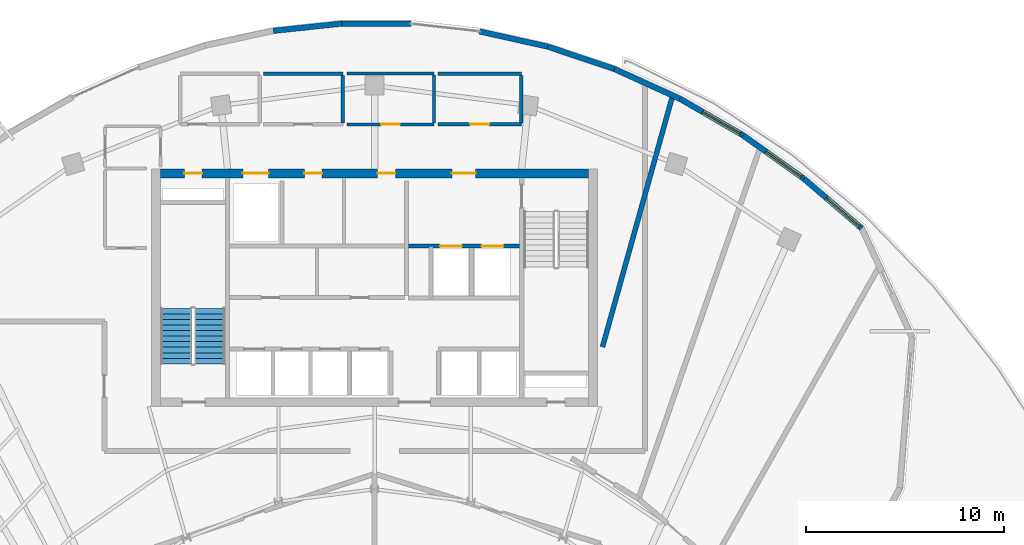
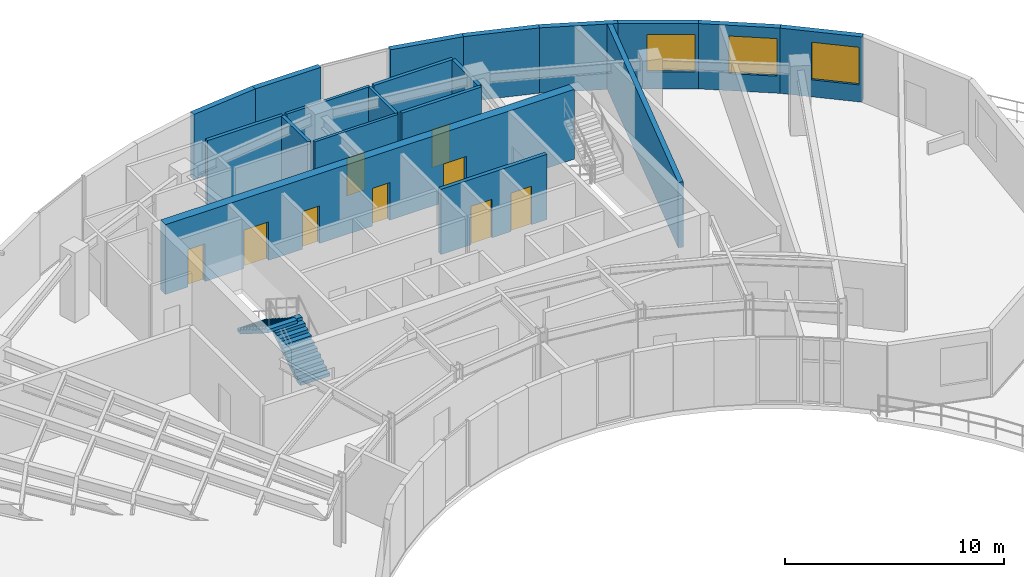
# One storey, part 10 of 15: 19 walls, 9 doors, 3 windows, 2 stair flights, 12 openings, 1 element without a shape of its own.
"""IFC4 building model written with IfcOpenShell, lengths in metres."""

from ifc_helpers import new_model, si_unit, direction, frame, frame_2d, origin, place, context, subcontext, project, spatial, polyline, rectangle, outline, extrude, source, transform, mapped, material, layer, layer_set, type_object, type_shapes, element, fill, aggregate, save


model = new_model("IFC4")

# Units and contexts
model_context = context("Model", 3, precision=1e-05, world=origin(), true_north=direction((0.0, 1.0)))
body_context = subcontext(model_context, "Body", "Model", "MODEL_VIEW")
ifc_project = project(units=[si_unit("LENGTHUNIT", "METRE"), si_unit("AREAUNIT", "SQUARE_METRE"), si_unit("VOLUMEUNIT", "CUBIC_METRE"), si_unit("PLANEANGLEUNIT", "RADIAN"), si_unit("MASSUNIT", "GRAM", prefix="KILO")], contexts=[model_context])

# Site, building, storey
site_placement = place(None, origin())
site = spatial("IfcSite", under=ifc_project, at=site_placement, CompositionType="ELEMENT")
building_placement = place(site_placement, origin())
building = spatial("IfcBuilding", under=site, at=building_placement, Name="Breltana Convention Tower", CompositionType="ELEMENT")
storey_placement = place(building_placement, frame((0.0, 0.0, 231.300048828125)))
storey = spatial("IfcBuildingStorey", under=building, at=storey_placement, Name="L56", CompositionType="ELEMENT", Elevation=231.300048828125)

# Wall, openings, doors
ifc_material_1 = material(Name="Concrete C60/75", Category="concrete")
ifc_layer_1 = layer(ifc_material_1, 0.449951171875, Name="Concrete C60/75")
ifc_layer_set_1 = layer_set([ifc_layer_1], Name="Concrete C60/75")
wall_type_1 = type_object("IfcWallType", Name="SW-CORE-450", PredefinedType="SHEAR", material=ifc_layer_set_1)
shared_shape_1 = source(origin(), body_context, "Body", "SweptSolid", [
    extrude(rectangle(XDim=21.60009765625, YDim=0.449951171875, at=frame_2d((10.800048828125, 0.0))), origin(), (0.0, 0.0, 1.0), 3.89990234375),
])
wall_1_placement = place(storey_placement, frame((37.199951171875, 71.97509765625, 0.0), z_axis=(0.0, 0.0, 1.0), x_axis=(1.0, 0.0, 0.0)))
wall_1 = element("IfcWall", 1, at=wall_1_placement, inside=storey, type_object=wall_type_1, Name="L56 North Core Shear Wall", PredefinedType="SHEAR", context=body_context, shape_type="MappedRepresentation", body=[
    mapped(shared_shape_1, transform((0.0, 0.0, 0.0), scale=1.0)),
])
opening_1_placement = place(wall_1_placement, frame((1.199951171875, 0.0, 0.0)))
opening_1 = element("IfcOpeningElement", 2, at=opening_1_placement, cuts=wall_1, Name="Opening D-18", PredefinedType="OPENING", context=body_context, shape_type="SweptSolid", body=[
    extrude(rectangle(XDim=0.89990234375, YDim=2.10009765625, at=frame_2d((0.449951171875, 1.050048828125))), frame((0.0, 0.23486328125, 0.0), z_axis=(0.0, -1.0, 0.0), x_axis=(1.0, 0.0, 0.0)), (0.0, 0.0, 1.0), 0.469970703125),
])
opening_2_placement = place(wall_1_placement, frame((14.699951171875, 0.0, 0.0)))
opening_2 = element("IfcOpeningElement", 3, at=opening_2_placement, cuts=wall_1, Name="Opening D-09", PredefinedType="OPENING", context=body_context, shape_type="SweptSolid", body=[
    extrude(rectangle(XDim=1.199951171875, YDim=2.14990234375, at=frame_2d((0.60009765625, 1.074951171875))), frame((0.0, 0.23486328125, 0.0), z_axis=(0.0, -1.0, 0.0), x_axis=(1.0, 0.0, 0.0)), (0.0, 0.0, 1.0), 0.469970703125),
])
opening_3_placement = place(wall_1_placement, frame((4.14990234375, 0.0, 0.0)))
opening_3 = element("IfcOpeningElement", 4, at=opening_3_placement, cuts=wall_1, Name="Opening LD-01", PredefinedType="OPENING", context=body_context, shape_type="SweptSolid", body=[
    extrude(rectangle(XDim=1.300048828125, YDim=2.14990234375, at=frame_2d((0.64990234375, 1.074951171875))), frame((0.0, 0.23486328125, 0.0), z_axis=(0.0, -1.0, 0.0), x_axis=(1.0, 0.0, 0.0)), (0.0, 0.0, 1.0), 0.469970703125),
])
opening_4_placement = place(wall_1_placement, frame((7.25, 0.0, 0.0)))
opening_4 = element("IfcOpeningElement", 5, at=opening_4_placement, cuts=wall_1, Name="Opening D-18", PredefinedType="OPENING", context=body_context, shape_type="SweptSolid", body=[
    extrude(rectangle(XDim=0.89990234375, YDim=2.10009765625, at=frame_2d((0.449951171875, 1.050048828125))), frame((0.0, 0.23486328125, 0.0), z_axis=(0.0, -1.0, 0.0), x_axis=(1.0, 0.0, 0.0)), (0.0, 0.0, 1.0), 0.469970703125),
])
opening_5_placement = place(wall_1_placement, frame((10.949951171875, 0.0, 0.0)))
opening_5 = element("IfcOpeningElement", 6, at=opening_5_placement, cuts=wall_1, Name="Opening D-18", PredefinedType="OPENING", context=body_context, shape_type="SweptSolid", body=[
    extrude(rectangle(XDim=0.89990234375, YDim=2.10009765625, at=frame_2d((0.449951171875, 1.050048828125))), frame((0.0, 0.23486328125, 0.0), z_axis=(0.0, -1.0, 0.0), x_axis=(1.0, 0.0, 0.0)), (0.0, 0.0, 1.0), 0.469970703125),
])
ifc_material_2 = material(Name="Steel Riser Fire Door", Category="steel")
door_type_1 = type_object("IfcDoorType", Name="DR-FD60-900", OperationType="NOTDEFINED", PredefinedType="DOOR", material=ifc_material_2)
shared_shape_2 = source(origin(), body_context, "Body", "SweptSolid", [
    extrude(rectangle(XDim=0.89990234375, YDim=2.10009765625, at=frame_2d((0.449951171875, 1.050048828125))), frame((0.0, 0.02490234375, 0.0), z_axis=(0.0, -1.0, 0.0), x_axis=(1.0, 0.0, 0.0)), (0.0, 0.0, 1.0), 0.050048828125),
])
type_shapes(door_type_1, [shared_shape_2])
door_1_placement = place(opening_1_placement, origin())
door_1 = element("IfcDoor", 7, at=door_1_placement, inside=storey, type_object=door_type_1, Name="L56 Core Riser Access Door D-L56-RS1", OperationType="SINGLE_SWING_LEFT", OverallHeight=2.10009765625, OverallWidth=0.89990234375, PredefinedType="DOOR", context=body_context, shape_type="MappedRepresentation", body=[
    mapped(shared_shape_2, transform((0.0, 0.0, 0.0), scale=1.0)),
])
fill(opening_1, door_1)
door_2_placement = place(opening_4_placement, origin())
door_2 = element("IfcDoor", 8, at=door_2_placement, inside=storey, type_object=door_type_1, Name="L56 interior door D-L56-CRA1", OperationType="SINGLE_SWING_RIGHT", OverallHeight=2.10009765625, OverallWidth=0.89990234375, PredefinedType="DOOR", context=body_context, shape_type="MappedRepresentation", body=[
    mapped(shared_shape_2, transform((0.0, 0.0, 0.0), scale=1.0)),
])
fill(opening_4, door_2)
door_3_placement = place(opening_5_placement, origin())
door_3 = element("IfcDoor", 9, at=door_3_placement, inside=storey, type_object=door_type_1, Name="L56 interior door D-L56-CRA2", OperationType="SINGLE_SWING_LEFT", OverallHeight=2.10009765625, OverallWidth=0.89990234375, PredefinedType="DOOR", context=body_context, shape_type="MappedRepresentation", body=[
    mapped(shared_shape_2, transform((0.0, 0.0, 0.0), scale=1.0)),
])
fill(opening_5, door_3)
ifc_material_3 = material(Name="Steel Fire Lobby Door", Category="steel")
door_type_2 = type_object("IfcDoorType", Name="DR-FD120-1200", OperationType="NOTDEFINED", PredefinedType="DOOR", material=ifc_material_3)
shared_shape_3 = source(origin(), body_context, "Body", "SweptSolid", [
    extrude(rectangle(XDim=1.199951171875, YDim=2.14990234375, at=frame_2d((0.60009765625, 1.074951171875))), frame((0.0, 0.02490234375, 0.0), z_axis=(0.0, -1.0, 0.0), x_axis=(1.0, 0.0, 0.0)), (0.0, 0.0, 1.0), 0.050048828125),
])
type_shapes(door_type_2, [shared_shape_3])
door_4_placement = place(opening_2_placement, origin())
door_4 = element("IfcDoor", 10, at=door_4_placement, inside=storey, type_object=door_type_2, Name="L56 interior door D-L56-FFL-N", OperationType="SINGLE_SWING_RIGHT", OverallHeight=2.14990234375, OverallWidth=1.199951171875, PredefinedType="DOOR", context=body_context, shape_type="MappedRepresentation", body=[
    mapped(shared_shape_3, transform((0.0, 0.0, 0.0), scale=1.0)),
])
fill(opening_2, door_4)
ifc_material_4 = material(Name="Stainless Steel Brushed", Category="steel")
door_type_3 = type_object("IfcDoorType", Name="DR-LD-SRV-1300", OperationType="DOUBLE_DOOR_SLIDING", PredefinedType="DOOR", material=ifc_material_4)
shared_shape_4 = source(origin(), body_context, "Body", "SweptSolid", [
    extrude(rectangle(XDim=1.300048828125, YDim=2.14990234375, at=frame_2d((0.64990234375, 1.074951171875))), frame((0.0, 0.02490234375, 0.0), z_axis=(0.0, -1.0, 0.0), x_axis=(1.0, 0.0, 0.0)), (0.0, 0.0, 1.0), 0.050048828125),
])
type_shapes(door_type_3, [shared_shape_4])
door_5_placement = place(opening_3_placement, origin())
door_5 = element("IfcDoor", 11, at=door_5_placement, inside=storey, type_object=door_type_3, Name="L56 Lift Landing Door D-L56-LD-SV1", OperationType="DOUBLE_DOOR_SLIDING", OverallHeight=2.14990234375, OverallWidth=1.300048828125, PredefinedType="DOOR", context=body_context, shape_type="MappedRepresentation", body=[
    mapped(shared_shape_4, transform((0.0, 0.0, 0.0), scale=1.0)),
])
fill(opening_3, door_5)

# Walls
ifc_material_5 = material(Name="Limestone Buff Insulated Wall", Category="masonry")
ifc_layer_2 = layer(ifc_material_5, 0.280029296875, Name="Limestone Buff Insulated Wall")
ifc_layer_set_2 = layer_set([ifc_layer_2], Name="Limestone Buff Insulated Wall")
wall_type_2 = type_object("IfcWallType", Name="WL-EXT-NOSE-280", PredefinedType="SOLIDWALL", material=ifc_layer_set_2)
shared_shape_5 = source(origin(), body_context, "Body", "SweptSolid", [
    extrude(rectangle(XDim=3.486328125, YDim=0.280029296875, at=frame_2d((1.7431640625, 0.0))), origin(), (0.0, 0.0, 1.0), 3.64990234375),
])
wall_2_placement = place(storey_placement, frame((42.887939453125, 79.163818359375, 0.0), z_axis=(0.0, 0.0, 1.0), x_axis=(0.994423029828, 0.105464864994, 0.0)))
element("IfcWall", 12, at=wall_2_placement, inside=storey, type_object=wall_type_2, Name="L56 curved limestone nose wall E27", PredefinedType="SOLIDWALL", context=body_context, shape_type="MappedRepresentation", body=[
    mapped(shared_shape_5, transform((0.0, 0.0, 0.0), scale=1.0)),
])
shared_shape_6 = source(origin(), body_context, "Body", "SweptSolid", [
    extrude(rectangle(XDim=3.477294921875, YDim=0.280029296875, at=frame_2d((1.73876953125, 0.0))), origin(), (0.0, 0.0, 1.0), 3.64990234375),
])
wall_3_placement = place(storey_placement, frame((46.354736328125, 79.531494140625, 0.0), z_axis=(0.0, 0.0, 1.0), x_axis=(0.999995652268, -0.002948804142, 0.0)))
element("IfcWall", 13, at=wall_3_placement, inside=storey, type_object=wall_type_2, Name="L56 curved limestone nose wall E28", PredefinedType="SOLIDWALL", context=body_context, shape_type="MappedRepresentation", body=[
    mapped(shared_shape_6, transform((0.0, 0.0, 0.0), scale=1.0)),
])
shared_shape_7 = source(origin(), body_context, "Body", "SweptSolid", [
    extrude(rectangle(XDim=3.514892578125, YDim=0.280029296875, at=frame_2d((1.75732421875, 0.0))), origin(), (0.0, 0.0, 1.0), 3.64990234375),
])
wall_4_placement = place(storey_placement, frame((53.297607421875, 79.13330078125, 0.0), z_axis=(0.0, 0.0, 1.0), x_axis=(0.976144550296, -0.217121663884, 0.0)))
element("IfcWall", 14, at=wall_4_placement, inside=storey, type_object=wall_type_2, Name="L56 curved limestone nose wall E29", PredefinedType="SOLIDWALL", context=body_context, shape_type="MappedRepresentation", body=[
    mapped(shared_shape_7, transform((0.0, 0.0, 0.0), scale=1.0)),
])
shared_shape_8 = source(origin(), body_context, "Body", "SweptSolid", [
    extrude(rectangle(XDim=3.559326171875, YDim=0.280029296875, at=frame_2d((1.77978515625, 0.0))), origin(), (0.0, 0.0, 1.0), 3.64990234375),
])
wall_5_placement = place(storey_placement, frame((56.728759765625, 78.3701171875, 0.0), z_axis=(0.0, 0.0, 1.0), x_axis=(0.947933000453, -0.31846982063, 0.0)))
element("IfcWall", 15, at=wall_5_placement, inside=storey, type_object=wall_type_2, Name="L56 curved limestone nose wall E30", PredefinedType="SOLIDWALL", context=body_context, shape_type="MappedRepresentation", body=[
    mapped(shared_shape_8, transform((0.0, 0.0, 0.0), scale=1.0)),
])
shared_shape_9 = source(origin(), body_context, "Body", "SweptSolid", [
    extrude(rectangle(XDim=3.619384765625, YDim=0.280029296875, at=frame_2d((1.8095703125, 0.0))), origin(), (0.0, 0.0, 1.0), 3.64990234375),
])
wall_6_placement = place(storey_placement, frame((60.102783203125, 77.236572265625, 0.0), z_axis=(0.0, 0.0, 1.0), x_axis=(0.910479634963, -0.413553907391, 0.0)))
element("IfcWall", 16, at=wall_6_placement, inside=storey, type_object=wall_type_2, Name="L56 curved limestone nose wall E31", PredefinedType="SOLIDWALL", context=body_context, shape_type="MappedRepresentation", body=[
    mapped(shared_shape_9, transform((0.0, 0.0, 0.0), scale=1.0)),
])

# Wall, opening, window
shared_shape_10 = source(origin(), body_context, "Body", "SweptSolid", [
    extrude(rectangle(XDim=3.69189453125, YDim=0.280029296875, at=frame_2d((1.845947265625, 0.0))), origin(), (0.0, 0.0, 1.0), 3.64990234375),
])
wall_7_placement = place(storey_placement, frame((63.398193359375, 75.73974609375, 0.0), z_axis=(0.0, 0.0, 1.0), x_axis=(0.86534327136, -0.501179631181, 0.0)))
wall_7 = element("IfcWall", 17, at=wall_7_placement, inside=storey, type_object=wall_type_2, Name="L56 curved limestone nose wall E32", PredefinedType="SOLIDWALL", context=body_context, shape_type="MappedRepresentation", body=[
    mapped(shared_shape_10, transform((0.0, 0.0, 0.0), scale=1.0)),
])
opening_6_placement = place(wall_7_placement, frame((1.33203125, 0.0, 0.949951171875)))
opening_6 = element("IfcOpeningElement", 18, at=opening_6_placement, cuts=wall_7, Name="Opening W-03", PredefinedType="OPENING", context=body_context, shape_type="SweptSolid", body=[
    extrude(rectangle(XDim=2.199951171875, YDim=2.10009765625, at=frame_2d((1.10009765625, 1.050048828125))), frame((0.0, 0.14990234375, 0.0), z_axis=(0.0, -1.0, 0.0), x_axis=(1.0, 0.0, 0.0)), (0.0, 0.0, 1.0), 0.300048828125),
])
ifc_material_6 = material(Name="Glass Low-E Insulated Window", Category="glass")
window_type = type_object("IfcWindowType", Name="WN-NOSE-2200X2100", PartitioningType="TRIPLE_PANEL_VERTICAL", PredefinedType="WINDOW", material=ifc_material_6)
shared_shape_11 = source(origin(), body_context, "Body", "SweptSolid", [
    extrude(rectangle(XDim=2.199951171875, YDim=2.10009765625, at=frame_2d((1.10009765625, 1.050048828125))), frame((0.0, 0.030029296875, 0.0), z_axis=(0.0, -1.0, 0.0), x_axis=(1.0, 0.0, 0.0)), (0.0, 0.0, 1.0), 0.06005859375),
])
type_shapes(window_type, [shared_shape_11])
window_1_placement = place(opening_6_placement, origin())
window_1 = element("IfcWindow", 19, at=window_1_placement, inside=storey, type_object=window_type, Name="L56 nose window E32", OverallHeight=2.10009765625, OverallWidth=2.199951171875, PartitioningType="TRIPLE_PANEL_VERTICAL", PredefinedType="WINDOW", context=body_context, shape_type="MappedRepresentation", body=[
    mapped(shared_shape_11, transform((0.0, 0.0, 0.0), scale=1.0)),
])
fill(opening_6, window_1)

shared_shape_12 = source(origin(), body_context, "Body", "SweptSolid", [
    extrude(rectangle(XDim=3.775146484375, YDim=0.280029296875, at=frame_2d((1.8876953125, 0.0))), origin(), (0.0, 0.0, 1.0), 3.64990234375),
])
wall_8_placement = place(storey_placement, frame((66.593017578125, 73.889404296875, 0.0), z_axis=(0.0, 0.0, 1.0), x_axis=(0.814135281578, -0.580675247699, 0.0)))
wall_8 = element("IfcWall", 20, at=wall_8_placement, inside=storey, type_object=wall_type_2, Name="L56 curved limestone nose wall E33", PredefinedType="SOLIDWALL", context=body_context, shape_type="MappedRepresentation", body=[
    mapped(shared_shape_12, transform((0.0, 0.0, 0.0), scale=1.0)),
])
opening_7_placement = place(wall_8_placement, frame((1.4150390625, 0.0, 0.949951171875)))
opening_7 = element("IfcOpeningElement", 21, at=opening_7_placement, cuts=wall_8, Name="Opening W-03", PredefinedType="OPENING", context=body_context, shape_type="SweptSolid", body=[
    extrude(rectangle(XDim=2.199951171875, YDim=2.10009765625, at=frame_2d((1.10009765625, 1.050048828125))), frame((0.0, 0.14990234375, 0.0), z_axis=(0.0, -1.0, 0.0), x_axis=(1.0, 0.0, 0.0)), (0.0, 0.0, 1.0), 0.300048828125),
])
window_2_placement = place(opening_7_placement, origin())
window_2 = element("IfcWindow", 22, at=window_2_placement, inside=storey, type_object=window_type, Name="L56 nose window E33", OverallHeight=2.10009765625, OverallWidth=2.199951171875, PartitioningType="TRIPLE_PANEL_VERTICAL", PredefinedType="WINDOW", context=body_context, shape_type="MappedRepresentation", body=[
    mapped(shared_shape_11, transform((0.0, 0.0, 0.0), scale=1.0)),
])
fill(opening_7, window_2)

shared_shape_13 = source(origin(), body_context, "Body", "SweptSolid", [
    extrude(rectangle(XDim=3.833984375, YDim=0.280029296875, at=frame_2d((1.9169921875, 0.0))), origin(), (0.0, 0.0, 1.0), 3.64990234375),
])
wall_9_placement = place(storey_placement, frame((69.66650390625, 71.697265625, 0.0), z_axis=(0.0, 0.0, 1.0), x_axis=(0.75839292431, -0.651797646787, 0.0)))
wall_9 = element("IfcWall", 23, at=wall_9_placement, inside=storey, type_object=wall_type_2, Name="L56 curved limestone nose wall E34", PredefinedType="SOLIDWALL", context=body_context, shape_type="MappedRepresentation", body=[
    mapped(shared_shape_13, transform((0.0, 0.0, 0.0), scale=1.0)),
])
opening_8_placement = place(wall_9_placement, frame((1.473876953125, 0.0, 0.949951171875)))
opening_8 = element("IfcOpeningElement", 24, at=opening_8_placement, cuts=wall_9, Name="Opening W-03", PredefinedType="OPENING", context=body_context, shape_type="SweptSolid", body=[
    extrude(rectangle(XDim=2.199951171875, YDim=2.10009765625, at=frame_2d((1.10009765625, 1.050048828125))), frame((0.0, 0.14990234375, 0.0), z_axis=(0.0, -1.0, 0.0), x_axis=(1.0, 0.0, 0.0)), (0.0, 0.0, 1.0), 0.300048828125),
])
window_3_placement = place(opening_8_placement, origin())
window_3 = element("IfcWindow", 25, at=window_3_placement, inside=storey, type_object=window_type, Name="L56 nose window E34", OverallHeight=2.10009765625, OverallWidth=2.199951171875, PartitioningType="TRIPLE_PANEL_VERTICAL", PredefinedType="WINDOW", context=body_context, shape_type="MappedRepresentation", body=[
    mapped(shared_shape_11, transform((0.0, 0.0, 0.0), scale=1.0)),
])
fill(opening_8, window_3)

# Wall, openings, doors
ifc_material_7 = material(Name="Autoclaved Aerated Concrete Block", Category="concrete")
ifc_layer_3 = layer(ifc_material_7, 0.199951171875, Name="Autoclaved Aerated Concrete Block")
ifc_layer_set_3 = layer_set([ifc_layer_3], Name="Autoclaved Aerated Concrete Block")
wall_type_3 = type_object("IfcWallType", Name="WL-SHAFT-200", PredefinedType="SOLIDWALL", material=ifc_layer_set_3)
shared_shape_14 = source(origin(), body_context, "Body", "SweptSolid", [
    extrude(rectangle(XDim=5.6201171875, YDim=0.199951171875, at=frame_2d((2.81005859375, 0.0))), origin(), (0.0, 0.0, 1.0), 3.64990234375),
])
wall_10_placement = place(storey_placement, frame((49.699951171875, 68.300048828125, 0.0), z_axis=(0.0, 0.0, 1.0), x_axis=(1.0, 0.0, 0.0)))
wall_10 = element("IfcWall", 26, at=wall_10_placement, inside=storey, type_object=wall_type_3, Name="L56 interior partition W-L56-FFL-S", PredefinedType="SOLIDWALL", context=body_context, shape_type="MappedRepresentation", body=[
    mapped(shared_shape_14, transform((0.0, 0.0, 0.0), scale=1.0)),
])
opening_9_placement = place(wall_10_placement, frame((1.60009765625, 0.0, 0.0)))
opening_9 = element("IfcOpeningElement", 27, at=opening_9_placement, cuts=wall_10, Name="Opening LD-03", PredefinedType="OPENING", context=body_context, shape_type="SweptSolid", body=[
    extrude(rectangle(XDim=1.10009765625, YDim=2.14990234375, at=frame_2d((0.550048828125, 1.074951171875))), frame((0.0, 0.10986328125, 0.0), z_axis=(0.0, -1.0, 0.0), x_axis=(1.0, 0.0, 0.0)), (0.0, 0.0, 1.0), 0.219970703125),
])
opening_10_placement = place(wall_10_placement, frame((3.699951171875, 0.0, 0.0)))
opening_10 = element("IfcOpeningElement", 28, at=opening_10_placement, cuts=wall_10, Name="Opening LD-03", PredefinedType="OPENING", context=body_context, shape_type="SweptSolid", body=[
    extrude(rectangle(XDim=1.10009765625, YDim=2.14990234375, at=frame_2d((0.550048828125, 1.074951171875))), frame((0.0, 0.10986328125, 0.0), z_axis=(0.0, -1.0, 0.0), x_axis=(1.0, 0.0, 0.0)), (0.0, 0.0, 1.0), 0.219970703125),
])
door_type_4 = type_object("IfcDoorType", Name="DR-LD-FF-1100", OperationType="DOUBLE_DOOR_SLIDING", PredefinedType="DOOR", material=ifc_material_4)
shared_shape_15 = source(origin(), body_context, "Body", "SweptSolid", [
    extrude(rectangle(XDim=1.10009765625, YDim=2.14990234375, at=frame_2d((0.550048828125, 1.074951171875))), frame((0.0, 0.02490234375, 0.0), z_axis=(0.0, -1.0, 0.0), x_axis=(1.0, 0.0, 0.0)), (0.0, 0.0, 1.0), 0.050048828125),
])
type_shapes(door_type_4, [shared_shape_15])
door_6_placement = place(opening_9_placement, origin())
door_6 = element("IfcDoor", 29, at=door_6_placement, inside=storey, type_object=door_type_4, Name="L56 Lift Landing Door D-L56-LD-FL1", OperationType="DOUBLE_DOOR_SLIDING", OverallHeight=2.14990234375, OverallWidth=1.10009765625, PredefinedType="DOOR", context=body_context, shape_type="MappedRepresentation", body=[
    mapped(shared_shape_15, transform((0.0, 0.0, 0.0), scale=1.0)),
])
fill(opening_9, door_6)
door_7_placement = place(opening_10_placement, origin())
door_7 = element("IfcDoor", 30, at=door_7_placement, inside=storey, type_object=door_type_4, Name="L56 Lift Landing Door D-L56-LD-FL2", OperationType="DOUBLE_DOOR_SLIDING", OverallHeight=2.14990234375, OverallWidth=1.10009765625, PredefinedType="DOOR", context=body_context, shape_type="MappedRepresentation", body=[
    mapped(shared_shape_15, transform((0.0, 0.0, 0.0), scale=1.0)),
])
fill(opening_10, door_7)

# Walls
ifc_material_8 = material(Name="Moisture-Resistant Gypsum Chase Wall")
ifc_layer_4 = layer(ifc_material_8, 0.179931640625, Name="Moisture-Resistant Gypsum Chase Wall")
ifc_layer_set_4 = layer_set([ifc_layer_4], Name="Moisture-Resistant Gypsum Chase Wall")
wall_type_4 = type_object("IfcWallType", Name="WL-PLUMB-180", PredefinedType="PLUMBINGWALL", material=ifc_layer_set_4)
shared_shape_16 = source(origin(), body_context, "Body", "SweptSolid", [
    extrude(rectangle(XDim=4.0, YDim=0.179931640625, at=frame_2d((2.0, 0.0))), origin(), (0.0, 0.0, 1.0), 3.64990234375),
])
wall_11_placement = place(storey_placement, frame((42.39990234375, 77.0, 0.0), z_axis=(0.0, 0.0, 1.0), x_axis=(1.0, 0.0, 0.0)))
element("IfcWall", 31, at=wall_11_placement, inside=storey, type_object=wall_type_4, Name="L56 interior partition W-L56-WCF-N", PredefinedType="PLUMBINGWALL", context=body_context, shape_type="MappedRepresentation", body=[
    mapped(shared_shape_16, transform((0.0, 0.0, 0.0), scale=1.0)),
])
ifc_material_9 = material(Name="Cement Board Wet-Area Partition")
ifc_layer_5 = layer(ifc_material_9, 0.175048828125, Name="Cement Board Wet-Area Partition")
ifc_layer_set_5 = layer_set([ifc_layer_5], Name="Cement Board Wet-Area Partition")
wall_type_5 = type_object("IfcWallType", Name="WL-WET-175", PredefinedType="PARTITIONING", material=ifc_layer_set_5)
shared_shape_17 = source(origin(), body_context, "Body", "SweptSolid", [
    extrude(rectangle(XDim=2.402587890625, YDim=0.175048828125, at=frame_2d((1.201171875, 0.0))), origin(), (0.0, 0.0, 1.0), 3.64990234375),
])
for number, where, z_axis, x_axis, name in (
    (32, (46.39990234375, 74.518798828125, 0.0), (0.0, 0.0, 1.0), (0.0, 1.0, 0.0), "L56 interior partition W-L56-WCF-E"),
    (33, (55.39990234375, 74.518798828125, 0.0), (0.0, 0.0, 1.0), (0.0, 1.0, 0.0), "L56 interior partition W-L56-WCA-E"),
):
    element("IfcWall", number, at=place(storey_placement, frame(where, z_axis=z_axis, x_axis=x_axis)), inside=storey, type_object=wall_type_5, Name=name, PredefinedType="PARTITIONING", context=body_context, shape_type="MappedRepresentation", body=[
        mapped(shared_shape_17, transform((0.0, 0.0, 0.0), scale=1.0)),
    ])

# Wall, opening, door
ifc_material_10 = material(Name="Gypsum Acoustic Drywall Partition")
ifc_layer_6 = layer(ifc_material_10, 0.14990234375, Name="Gypsum Acoustic Drywall Partition")
ifc_layer_set_6 = layer_set([ifc_layer_6], Name="Gypsum Acoustic Drywall Partition")
wall_type_6 = type_object("IfcWallType", Name="WL-PART-150", PredefinedType="PARTITIONING", material=ifc_layer_set_6)
shared_shape_18 = source(origin(), body_context, "Body", "SweptSolid", [
    extrude(rectangle(XDim=4.39990234375, YDim=0.14990234375, at=frame_2d((2.199951171875, 0.0))), origin(), (0.0, 0.0, 1.0), 3.64990234375),
])
wall_12_placement = place(storey_placement, frame((46.60009765625, 74.43994140625, 0.0), z_axis=(0.0, 0.0, 1.0), x_axis=(1.0, 0.0, 0.0)))
wall_12 = element("IfcWall", 34, at=wall_12_placement, inside=storey, type_object=wall_type_6, Name="L56 interior partition W-L56-PNT-S", PredefinedType="PARTITIONING", context=body_context, shape_type="MappedRepresentation", body=[
    mapped(shared_shape_18, transform((0.0, 0.0, 0.0), scale=1.0)),
])
opening_11_placement = place(wall_12_placement, frame((1.72509765625, 0.0, 0.0)))
opening_11 = element("IfcOpeningElement", 35, at=opening_11_placement, cuts=wall_12, Name="Opening D-17", PredefinedType="OPENING", context=body_context, shape_type="SweptSolid", body=[
    extrude(rectangle(XDim=0.949951171875, YDim=2.10009765625, at=frame_2d((0.47509765625, 1.050048828125))), frame((0.0, 0.0849609375, 0.0), z_axis=(0.0, -1.0, 0.0), x_axis=(1.0, 0.0, 0.0)), (0.0, 0.0, 1.0), 0.169921875),
])
ifc_material_11 = material(Name="Timber Oak Veneer Door", Category="wood")
door_type_5 = type_object("IfcDoorType", Name="DR-INT-950", OperationType="NOTDEFINED", PredefinedType="DOOR", material=ifc_material_11)
shared_shape_19 = source(origin(), body_context, "Body", "SweptSolid", [
    extrude(rectangle(XDim=0.949951171875, YDim=2.10009765625, at=frame_2d((0.47509765625, 1.050048828125))), frame((0.0, 0.02490234375, 0.0), z_axis=(0.0, -1.0, 0.0), x_axis=(1.0, 0.0, 0.0)), (0.0, 0.0, 1.0), 0.050048828125),
])
type_shapes(door_type_5, [shared_shape_19])
door_8_placement = place(opening_11_placement, origin())
door_8 = element("IfcDoor", 36, at=door_8_placement, inside=storey, type_object=door_type_5, Name="L56 interior door D-L56-PNT", OperationType="SINGLE_SWING_RIGHT", OverallHeight=2.10009765625, OverallWidth=0.949951171875, PredefinedType="DOOR", context=body_context, shape_type="MappedRepresentation", body=[
    mapped(shared_shape_19, transform((0.0, 0.0, 0.0), scale=1.0)),
])
fill(opening_11, door_8)

# Walls
wall_13_placement = place(storey_placement, frame((46.60009765625, 77.0, 0.0), z_axis=(0.0, 0.0, 1.0), x_axis=(1.0, 0.0, 0.0)))
element("IfcWall", 37, at=wall_13_placement, inside=storey, type_object=wall_type_6, Name="L56 interior partition W-L56-PNT-N", PredefinedType="PARTITIONING", context=body_context, shape_type="MappedRepresentation", body=[
    mapped(shared_shape_18, transform((0.0, 0.0, 0.0), scale=1.0)),
])
shared_shape_20 = source(origin(), body_context, "Body", "SweptSolid", [
    extrude(rectangle(XDim=2.425048828125, YDim=0.14990234375, at=frame_2d((1.21240234375, 0.0))), origin(), (0.0, 0.0, 1.0), 3.64990234375),
])
wall_14_placement = place(storey_placement, frame((51.0, 74.507568359375, 0.0), z_axis=(0.0, 0.0, 1.0), x_axis=(0.0, 1.0, 0.0)))
element("IfcWall", 38, at=wall_14_placement, inside=storey, type_object=wall_type_6, Name="L56 interior partition W-L56-PNT-E", PredefinedType="PARTITIONING", context=body_context, shape_type="MappedRepresentation", body=[
    mapped(shared_shape_20, transform((0.0, 0.0, 0.0), scale=1.0)),
])

# Wall, opening, door
shared_shape_21 = source(origin(), body_context, "Body", "SweptSolid", [
    extrude(rectangle(XDim=4.199951171875, YDim=0.175048828125, at=frame_2d((2.10009765625, 0.0))), origin(), (0.0, 0.0, 1.0), 3.64990234375),
])
wall_15_placement = place(storey_placement, frame((51.199951171875, 74.43994140625, 0.0), z_axis=(0.0, 0.0, 1.0), x_axis=(1.0, 0.0, 0.0)))
wall_15 = element("IfcWall", 39, at=wall_15_placement, inside=storey, type_object=wall_type_5, Name="L56 interior partition W-L56-WCA-S", PredefinedType="PARTITIONING", context=body_context, shape_type="MappedRepresentation", body=[
    mapped(shared_shape_21, transform((0.0, 0.0, 0.0), scale=1.0)),
])
opening_12_placement = place(wall_15_placement, frame((1.625, 0.0, 0.0)))
opening_12 = element("IfcOpeningElement", 40, at=opening_12_placement, cuts=wall_15, Name="Opening D-16", PredefinedType="OPENING", context=body_context, shape_type="SweptSolid", body=[
    extrude(rectangle(XDim=0.949951171875, YDim=2.1201171875, at=frame_2d((0.47509765625, 1.06005859375))), frame((0.0, 0.09765625, 0.0), z_axis=(0.0, -1.0, 0.0), x_axis=(1.0, 0.0, 0.0)), (0.0, 0.0, 1.0), 0.195068359375),
])
ifc_material_12 = material(Name="Timber Laminate Accessible Door", Category="wood")
door_type_6 = type_object("IfcDoorType", Name="DR-ACC-950", OperationType="NOTDEFINED", PredefinedType="DOOR", material=ifc_material_12)
shared_shape_22 = source(origin(), body_context, "Body", "SweptSolid", [
    extrude(rectangle(XDim=0.949951171875, YDim=2.1201171875, at=frame_2d((0.47509765625, 1.06005859375))), frame((0.0, 0.02490234375, 0.0), z_axis=(0.0, -1.0, 0.0), x_axis=(1.0, 0.0, 0.0)), (0.0, 0.0, 1.0), 0.050048828125),
])
type_shapes(door_type_6, [shared_shape_22])
door_9_placement = place(opening_12_placement, origin())
door_9 = element("IfcDoor", 41, at=door_9_placement, inside=storey, type_object=door_type_6, Name="L56 interior door D-L56-WCA", OperationType="SINGLE_SWING_LEFT", OverallHeight=2.1201171875, OverallWidth=0.949951171875, PredefinedType="DOOR", context=body_context, shape_type="MappedRepresentation", body=[
    mapped(shared_shape_22, transform((0.0, 0.0, 0.0), scale=1.0)),
])
fill(opening_12, door_9)

# Walls
shared_shape_23 = source(origin(), body_context, "Body", "SweptSolid", [
    extrude(rectangle(XDim=4.199951171875, YDim=0.179931640625, at=frame_2d((2.10009765625, 0.0))), origin(), (0.0, 0.0, 1.0), 3.64990234375),
])
wall_16_placement = place(storey_placement, frame((51.199951171875, 77.0, 0.0), z_axis=(0.0, 0.0, 1.0), x_axis=(1.0, 0.0, 0.0)))
element("IfcWall", 42, at=wall_16_placement, inside=storey, type_object=wall_type_4, Name="L56 interior partition W-L56-WCA-N", PredefinedType="PLUMBINGWALL", context=body_context, shape_type="MappedRepresentation", body=[
    mapped(shared_shape_23, transform((0.0, 0.0, 0.0), scale=1.0)),
])
ifc_material_13 = material(Name="Gypsum Acoustic Double Stud Wall")
ifc_layer_7 = layer(ifc_material_13, 0.25, Name="Gypsum Acoustic Double Stud Wall")
ifc_layer_set_7 = layer_set([ifc_layer_7], Name="Gypsum Acoustic Double Stud Wall")
wall_type_7 = type_object("IfcWallType", Name="WL-ACOUSTIC-250", PredefinedType="PARTITIONING", material=ifc_layer_set_7)
shared_shape_24 = source(origin(), body_context, "Body", "SweptSolid", [
    extrude(rectangle(XDim=13.1611328125, YDim=0.25, at=frame_2d((6.58056640625, 0.0))), origin(), (0.0, 0.0, 1.0), 3.64990234375),
])
wall_17_placement = place(storey_placement, frame((59.5, 63.2158203125, 0.0), z_axis=(0.0, 0.0, 1.0), x_axis=(0.268752541286, 0.963209256368, 0.0)))
element("IfcWall", 43, at=wall_17_placement, inside=storey, type_object=wall_type_7, Name="L56 interior partition W-L56-EXER1-RA", PredefinedType="PARTITIONING", context=body_context, shape_type="MappedRepresentation", body=[
    mapped(shared_shape_24, transform((0.0, 0.0, 0.0), scale=1.0)),
])

# Stair, stair flights
ifc_material_14 = material(Name="Concrete C40/50", Category="concrete")
stair_type = type_object("IfcStairType", Name="ST-DOG-1560-R177", PredefinedType="HALF_TURN_STAIR", material=ifc_material_14)
stair_placement = place(storey_placement, origin())
stair = element("IfcStair", 44, at=stair_placement, inside=storey, type_object=stair_type, Name="L56 Protected Core Exit Stair ST-1", PredefinedType="HALF_TURN_STAIR")
stair_flight_type = type_object("IfcStairFlightType", Name="STF-DOG-1560-N11-R177", PredefinedType="STRAIGHT", material=ifc_material_14)
stair_flight_1_placement = place(storey_placement, frame((39.68994140625, 62.360107421875, 0.0), z_axis=(0.0, 0.0, 1.0), x_axis=(0.0, 1.0, 0.0)))
stair_flight_1 = element("IfcStairFlight", 45, at=stair_flight_1_placement, type_object=stair_flight_type, Name="ST-1 flight 1", NumberOfRisers=11, NumberOfTreads=10, PredefinedType="STRAIGHT", RiserHeight=0.177272727, TreadLength=0.28, context=body_context, shape_type="SweptSolid", body=[
    extrude(outline(polyline([(0.0, 0.0), (0.0, 0.17724609375), (0.280029296875, 0.17724609375), (0.280029296875, 0.3544921875), (0.56005859375, 0.3544921875), (0.56005859375, 0.53173828125), (0.840087890625, 0.53173828125), (0.840087890625, 0.708984375), (1.1201171875, 0.708984375), (1.1201171875, 0.886474609375), (1.39990234375, 0.886474609375), (1.39990234375, 1.063720703125), (1.679931640625, 1.063720703125), (1.679931640625, 1.240966796875), (1.9599609375, 1.240966796875), (1.9599609375, 1.418212890625), (2.239990234375, 1.418212890625), (2.239990234375, 1.595458984375), (2.52001953125, 1.595458984375), (2.52001953125, 1.772705078125), (2.800048828125, 1.772705078125), (2.800048828125, 1.949951171875), (2.800048828125, 1.59521484375), (0.2802734375, 0.0), (0.0, 0.0)])), frame((0.0, 0.780029296875, 0.0), z_axis=(0.0, -1.0, 0.0), x_axis=(1.0, 0.0, 0.0)), (0.0, 0.0, 1.0), 1.56005859375),
])
stair_flight_2_placement = place(storey_placement, frame((37.97998046875, 65.159912109375, 1.949951171875), z_axis=(0.0, 0.0, 1.0), x_axis=(0.0, -1.0, 0.0)))
stair_flight_2 = element("IfcStairFlight", 46, at=stair_flight_2_placement, type_object=stair_flight_type, Name="ST-1 flight 2", NumberOfRisers=11, NumberOfTreads=10, PredefinedType="STRAIGHT", RiserHeight=0.177272727, TreadLength=0.28, context=body_context, shape_type="SweptSolid", body=[
    extrude(outline(polyline([(0.0, 0.0), (0.0, 0.17724609375), (0.280029296875, 0.17724609375), (0.280029296875, 0.3544921875), (0.56005859375, 0.3544921875), (0.56005859375, 0.53173828125), (0.840087890625, 0.53173828125), (0.840087890625, 0.708984375), (1.1201171875, 0.708984375), (1.1201171875, 0.886474609375), (1.39990234375, 0.886474609375), (1.39990234375, 1.063720703125), (1.679931640625, 1.063720703125), (1.679931640625, 1.240966796875), (1.9599609375, 1.240966796875), (1.9599609375, 1.418212890625), (2.239990234375, 1.418212890625), (2.239990234375, 1.595458984375), (2.52001953125, 1.595458984375), (2.52001953125, 1.772705078125), (2.800048828125, 1.772705078125), (2.800048828125, 1.949951171875), (2.800048828125, 1.59521484375), (0.2802734375, 0.0), (0.0, 0.0)])), frame((0.0, 0.780029296875, 0.0), z_axis=(0.0, -1.0, 0.0), x_axis=(1.0, 0.0, 0.0)), (0.0, 0.0, 1.0), 1.56005859375),
])
aggregate(stair, [stair_flight_1, stair_flight_2])

save(model, "model.ifc")
